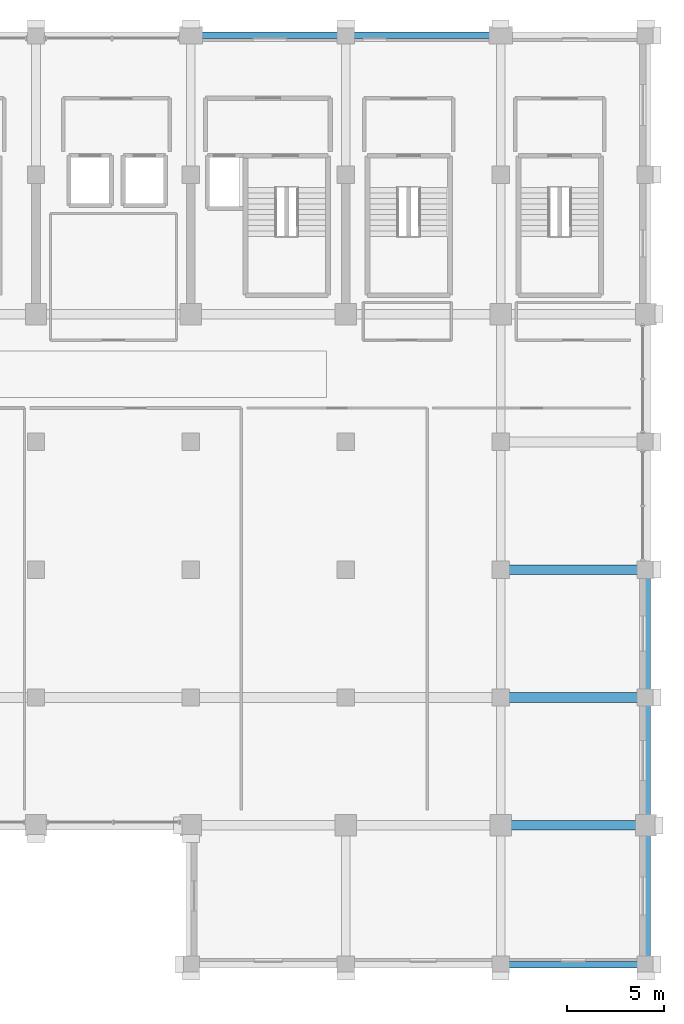
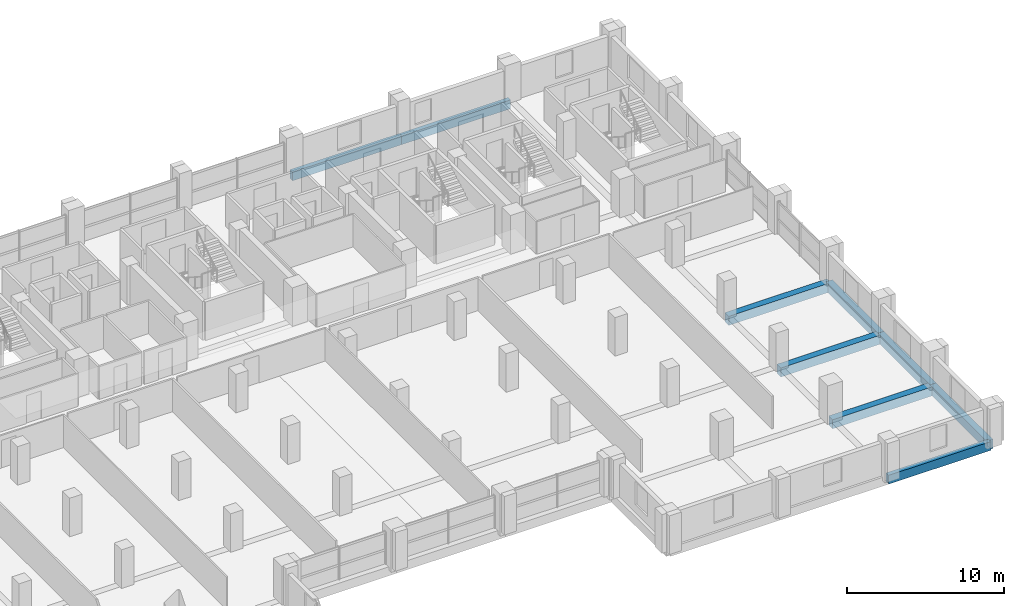
# One storey, part 13 of 21: 9 beams.
"""IFC4 building model written with IfcOpenShell, lengths in metres."""

from ifc_helpers import new_model, si_unit, direction, frame, origin, origin_2d, place, context, subcontext, project, spatial, rectangle, extrude, material, material_profile, profile_set, type_object, element, save


model = new_model("IFC4")

# Units and contexts
model_context = context("Model", 3, precision=1e-05, world=origin(), true_north=direction((0.0, 1.0)))
body_context = subcontext(model_context, "Body", "Model", "MODEL_VIEW")
ifc_project = project(units=[si_unit("LENGTHUNIT", "METRE"), si_unit("AREAUNIT", "SQUARE_METRE"), si_unit("VOLUMEUNIT", "CUBIC_METRE"), si_unit("PLANEANGLEUNIT", "RADIAN"), si_unit("MASSUNIT", "GRAM", prefix="KILO")], contexts=[model_context])

# Site, building, storey
site_placement = place(None, origin())
site = spatial("IfcSite", under=ifc_project, at=site_placement, CompositionType="ELEMENT")
building_placement = place(site_placement, origin())
building = spatial("IfcBuilding", under=site, at=building_placement, Name="Akrevak Sports Hall", CompositionType="ELEMENT")
storey_placement = place(building_placement, frame((0.0, 0.0, 27.550048828125)))
storey = spatial("IfcBuildingStorey", under=building, at=storey_placement, Name="L05", CompositionType="ELEMENT", Elevation=27.550048828125)

# Beams
ifc_material = material(Name="Concrete C40/50", Category="concrete")
ifc_material_profile_1 = material_profile(ifc_material, rectangle(XDim=0.449951171875, YDim=0.699951171875, at=origin_2d()), Name="BM 450x700", Category="concrete")
ifc_profile_set_1 = profile_set([ifc_material_profile_1], Name="Concrete C40/50")
beam_type_1 = type_object("IfcBeamType", Name="STR-BM-RC450x700", PredefinedType="BEAM", material=ifc_profile_set_1)
beam_1_placement = place(storey_placement, frame((115.5, 21.60009765625, -0.35009765625), z_axis=(0.0, 1.0, 0.0), x_axis=(-1.0, 0.0, 0.0)))
element("IfcBeam", 1, at=beam_1_placement, inside=storey, type_object=beam_type_1, Name="Girder 16/D-E (L05)", PredefinedType="BEAM", context=body_context, shape_type="SweptSolid", body=[
    extrude(rectangle(XDim=0.449951171875, YDim=0.699951171875, at=origin_2d()), origin(), (0.0, 0.0, 1.0), 7.199951171875),
])
beam_2_placement = place(storey_placement, frame((115.5, 28.800048828125, -0.35009765625), z_axis=(0.0, 1.0, 0.0), x_axis=(-1.0, 0.0, 0.0)))
element("IfcBeam", 2, at=beam_2_placement, inside=storey, type_object=beam_type_1, Name="Girder 16/E-F (L05)", PredefinedType="BEAM", context=body_context, shape_type="SweptSolid", body=[
    extrude(rectangle(XDim=0.449951171875, YDim=0.699951171875, at=origin_2d()), origin(), (0.0, 0.0, 1.0), 6.599853515625),
])
beam_3_placement = place(storey_placement, frame((115.5, 35.39990234375, -0.35009765625), z_axis=(0.0, 1.0, 0.0), x_axis=(-1.0, 0.0, 0.0)))
element("IfcBeam", 3, at=beam_3_placement, inside=storey, type_object=beam_type_1, Name="Girder 16/F-G (L05)", PredefinedType="BEAM", context=body_context, shape_type="SweptSolid", body=[
    extrude(rectangle(XDim=0.449951171875, YDim=0.699951171875, at=origin_2d()), origin(), (0.0, 0.0, 1.0), 6.60009765625),
])
ifc_material_profile_2 = material_profile(ifc_material, rectangle(XDim=0.5, YDim=0.699951171875, at=origin_2d()), Name="BM 500x700", Category="concrete")
ifc_profile_set_2 = profile_set([ifc_material_profile_2], Name="Concrete C40/50")
beam_type_2 = type_object("IfcBeamType", Name="STR-BM-RC500x700", PredefinedType="BEAM", material=ifc_profile_set_2)
for number, where, z_axis, x_axis, name in (
    (4, (108.0, 28.800048828125, -0.35009765625), (1.0, 0.0, 0.0), (0.0, 1.0, 0.0), "Girder E/15-16 (L05)"),
    (5, (108.0, 35.39990234375, -0.35009765625), (1.0, 0.0, 0.0), (0.0, 1.0, 0.0), "Girder F/15-16 (L05)"),
    (6, (108.0, 42.0, -0.35009765625), (1.0, 0.0, 0.0), (0.0, 1.0, 0.0), "Girder G/15-16 (L05)"),
):
    element("IfcBeam", number, at=place(storey_placement, frame(where, z_axis=z_axis, x_axis=x_axis)), inside=storey, type_object=beam_type_2, Name=name, PredefinedType="BEAM", context=body_context, shape_type="SweptSolid", body=[
        extrude(rectangle(XDim=0.5, YDim=0.699951171875, at=origin_2d()), origin(), (0.0, 0.0, 1.0), 7.5),
    ])
ifc_material_profile_3 = material_profile(ifc_material, rectangle(XDim=0.320068359375, YDim=0.679931640625, at=origin_2d()), Name="SPD 320x680", Category="concrete")
ifc_profile_set_3 = profile_set([ifc_material_profile_3], Name="Concrete C40/50")
beam_type_3 = type_object("IfcBeamType", Name="STR-SPD-RC320x680", PredefinedType="SPANDREL", material=ifc_profile_set_3)
beam_4_placement = place(storey_placement, frame((108.0, 21.60009765625, -0.340087890625), z_axis=(1.0, 0.0, 0.0), x_axis=(0.0, 1.0, 0.0)))
element("IfcBeam", 7, at=beam_4_placement, inside=storey, type_object=beam_type_3, Name="Girder D/15-16 (L05)", PredefinedType="SPANDREL", context=body_context, shape_type="SweptSolid", body=[
    extrude(rectangle(XDim=0.320068359375, YDim=0.679931640625, at=origin_2d()), origin(), (0.0, 0.0, 1.0), 7.5),
])
for number, where, z_axis, x_axis, name in (
    (8, (92.0, 69.60009765625, -0.340087890625), (1.0, 0.0, 0.0), (0.0, 1.0, 0.0), "Girder K/13-14 (L05)"),
    (9, (100.0, 69.60009765625, -0.340087890625), (1.0, 0.0, 0.0), (0.0, 1.0, 0.0), "Girder K/14-15 (L05)"),
):
    element("IfcBeam", number, at=place(storey_placement, frame(where, z_axis=z_axis, x_axis=x_axis)), inside=storey, type_object=beam_type_3, Name=name, PredefinedType="SPANDREL", context=body_context, shape_type="SweptSolid", body=[
        extrude(rectangle(XDim=0.320068359375, YDim=0.679931640625, at=origin_2d()), origin(), (0.0, 0.0, 1.0), 8.0),
    ])

save(model, "model.ifc")
